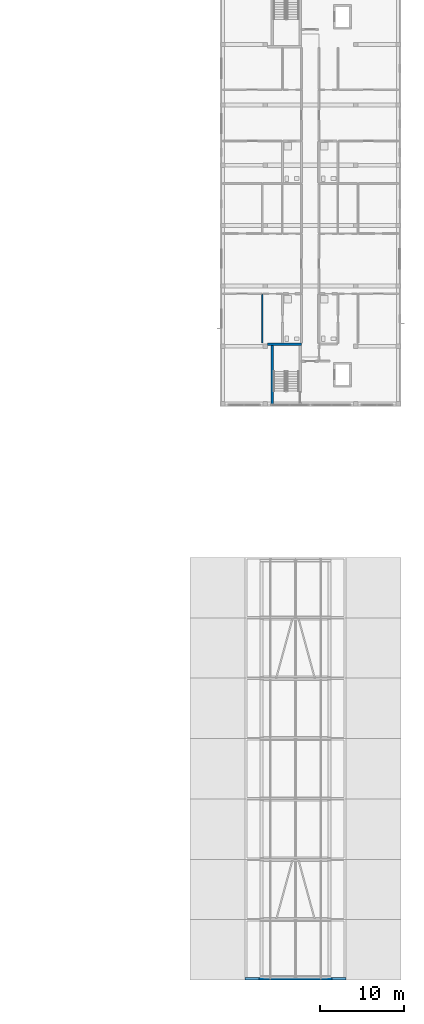
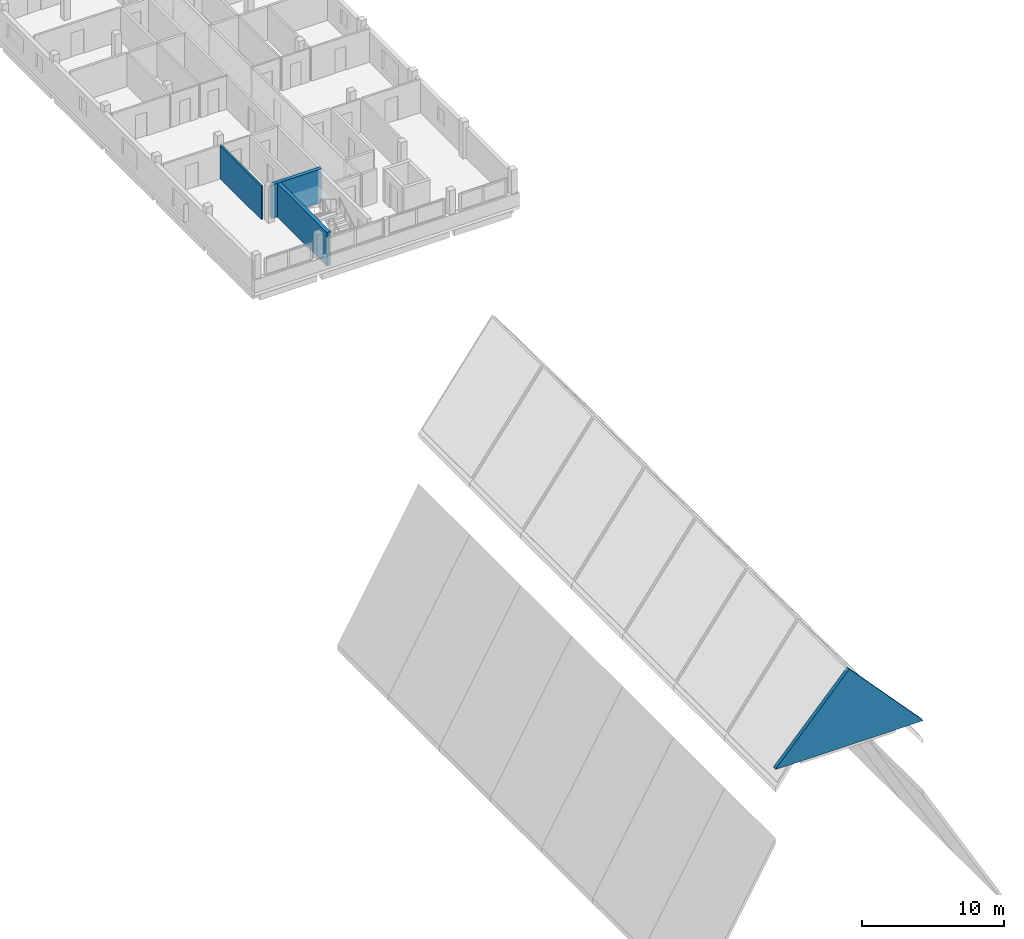
# One storey, part 15 of 29: 4 walls.
"""IFC4 building model written with IfcOpenShell, lengths in metres."""

from ifc_helpers import new_model, si_unit, derived_unit, direction, frame, frame_2d, origin, place, context, subcontext, project, spatial, polyline, rectangle, outline, extrude, material, layer, layer_set, type_object, element, save


model = new_model("IFC4")

# Units and contexts
model_context = context("Model", 3, precision=1e-05, world=origin(), true_north=direction((0.0, 1.0)))
body_context = subcontext(model_context, "Body", "Model", "MODEL_VIEW")
ifc_project = project(units=[si_unit("LENGTHUNIT", "METRE"), si_unit("AREAUNIT", "SQUARE_METRE"), si_unit("VOLUMEUNIT", "CUBIC_METRE"), si_unit("PLANEANGLEUNIT", "RADIAN"), si_unit("MASSUNIT", "GRAM", prefix="KILO"), derived_unit("THERMALTRANSMITTANCEUNIT", [(si_unit("MASSUNIT", "GRAM", prefix="KILO"), 1), (si_unit("TIMEUNIT", "SECOND"), -3), (si_unit("THERMODYNAMICTEMPERATUREUNIT", "KELVIN"), -1)])], contexts=[model_context])

# Site, building, storey
site_placement = place(None, origin())
site = spatial("IfcSite", under=ifc_project, at=site_placement, CompositionType="ELEMENT")
building_placement = place(site_placement, origin())
building = spatial("IfcBuilding", under=site, at=building_placement, Name="Ochrekiln Boulevard Commons", CompositionType="ELEMENT")
storey_placement = place(building_placement, frame((0.0, 0.0, 37.27490234375)))
storey = spatial("IfcBuildingStorey", under=building, at=storey_placement, Name="L11", CompositionType="ELEMENT", Elevation=37.27490234375)

# Walls
ifc_material_1 = material(Name="Desert ochre clinker brick masonry ASTM C216 Grade SW", Category="masonry")
ifc_layer_1 = layer(ifc_material_1, 0.330078125)
ifc_layer_set_1 = layer_set([ifc_layer_1], Name="Desert ochre clinker brick masonry ASTM C216 Grade SW")
wall_type_1 = type_object("IfcWallType", Name="WL-EXT-OCHRE-330", PredefinedType="SOLIDWALL", material=ifc_layer_set_1)
wall_1_placement = place(storey_placement, frame((154.199951171875, 0.159912109375, -0.599853515625), z_axis=(0.0, 0.0, 1.0), x_axis=(1.0, 0.0, 0.0)))
element("IfcWall", 1, at=wall_1_placement, inside=storey, type_object=wall_type_1, Name="Block C Street Gable Peak Masonry Wall", PredefinedType="SOLIDWALL", context=body_context, shape_type="SweptSolid", body=[
    extrude(outline(polyline([(0.0, 0.0), (12.0, 0.0), (12.0, 0.050048828125), (6.0, 6.550048828125), (0.0, 0.050048828125), (0.0, 0.0)])), frame((0.0, 0.16015625, 0.0), z_axis=(0.0, -1.0, 0.0), x_axis=(1.0, 0.0, 0.0)), (0.0, 0.0, 1.0), 0.320068359375),
])
ifc_material_2 = material(Name="Fire-rated Type X gypsum board on steel studs", Category="steel")
ifc_layer_2 = layer(ifc_material_2, 0.14990234375)
ifc_layer_set_2 = layer_set([ifc_layer_2], Name="Fire-rated Type X gypsum board on steel studs")
wall_type_2 = type_object("IfcWallType", Name="WL-PT-STD-150", PredefinedType="PARTITIONING", material=ifc_layer_set_2)
wall_2_placement = place(storey_placement, frame((156.22998046875, 76.0, 0.0), z_axis=(0.0, 0.0, 1.0), x_axis=(0.0, 1.0, 0.0)))
element("IfcWall", 2, at=wall_2_placement, inside=storey, type_object=wall_type_2, Name="L11 Interior Wall W-PS150", PredefinedType="PARTITIONING", context=body_context, shape_type="SweptSolid", body=[
    extrude(rectangle(XDim=5.804931640625, YDim=0.14990234375, at=frame_2d((2.90234375, 0.0))), origin(), (0.0, 0.0, 1.0), 2.8701171875),
])
ifc_material_3 = material(Name="Concrete C40/50", Category="concrete")
ifc_layer_3 = layer(ifc_material_3, 0.300048828125)
ifc_layer_set_3 = layer_set([ifc_layer_3], Name="Concrete C40/50")
wall_type_3 = type_object("IfcWallType", Name="WL-SH-300", PredefinedType="SHEAR", material=ifc_layer_set_3)
wall_3_placement = place(storey_placement, frame((156.85009765625, 75.8701171875, 0.0), z_axis=(0.0, 0.0, 1.0), x_axis=(1.0, 0.0, 0.0)))
element("IfcWall", 3, at=wall_3_placement, inside=storey, type_object=wall_type_3, Name="Stair ST-B1 L11 Core Shear Wall N", PredefinedType="SHEAR", context=body_context, shape_type="SweptSolid", body=[
    extrude(rectangle(XDim=4.0498046875, YDim=0.300048828125, at=frame_2d((2.02490234375, 0.0))), origin(), (0.0, 0.0, 1.0), 2.900146484375),
])
wall_4_placement = place(storey_placement, frame((157.449951171875, 68.719970703125, 0.0), z_axis=(0.0, 0.0, 1.0), x_axis=(0.0, 1.0, 0.0)))
element("IfcWall", 4, at=wall_4_placement, inside=storey, type_object=wall_type_3, Name="Stair ST-B1 L11 Core Shear Wall W", PredefinedType="SHEAR", context=body_context, shape_type="SweptSolid", body=[
    extrude(rectangle(XDim=7.0, YDim=0.300048828125, at=frame_2d((3.5, 0.0))), origin(), (0.0, 0.0, 1.0), 2.900146484375),
])

save(model, "model.ifc")
